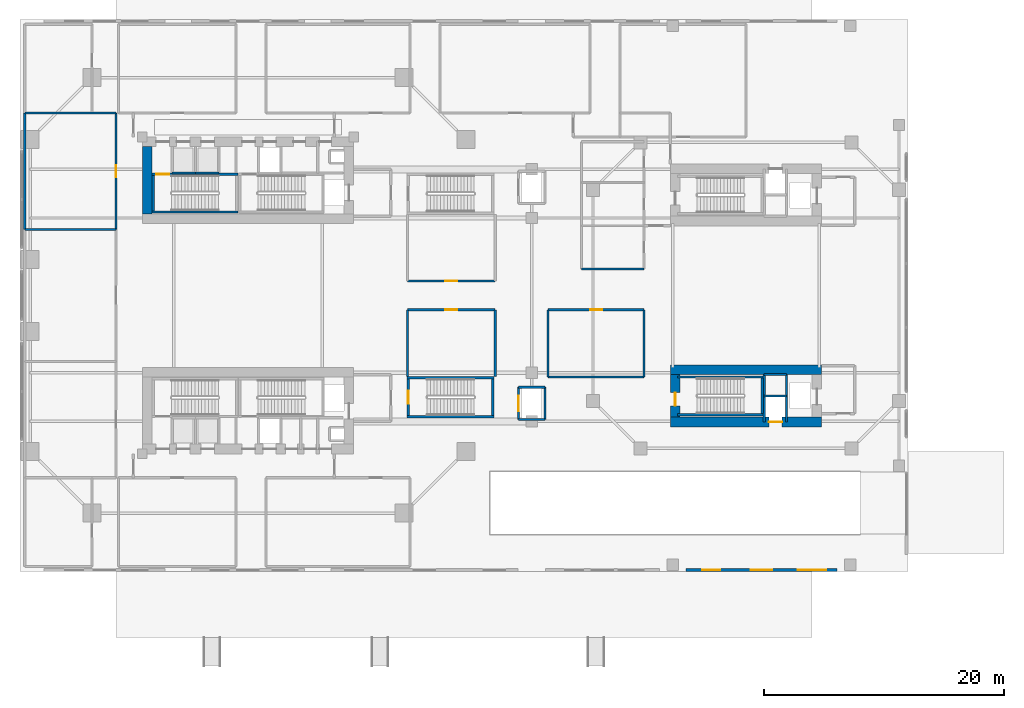
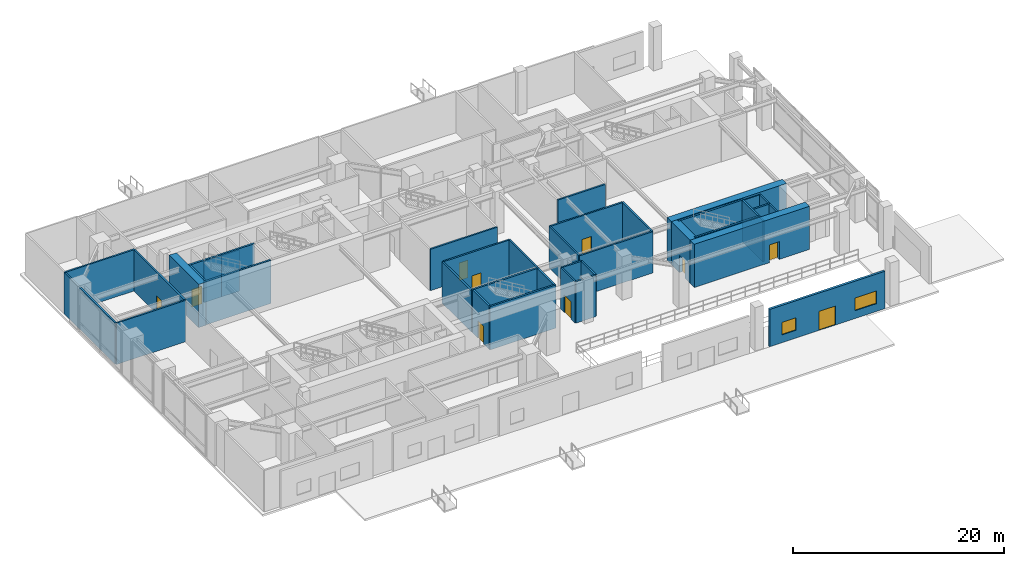
# One storey, part 9 of 18: 38 walls, 10 doors, 2 windows, 12 openings.
"""IFC4 building model written with IfcOpenShell, lengths in metres."""

import ifcopenshell
import ifcopenshell.guid

model = None  # the IFC model being written
_history = None  # IfcOwnerHistory: only IFC2X3 demands one
_inside = {}  # id of a spatial element -> (the spatial element, [elements in it])
_under = {}  # id of a project, library or spatial element -> (it, [spatial elements below it])
_declared = {}  # id of a project -> (the project, [libraries it declares])
_typed = {}  # id of a type object -> (the type object, [elements of that type])
_made_of = {}  # id of a material, layer set ... -> (it, [elements and type objects made of it])


def new_model(schema):
    """Start an empty IFC model of exactly this schema.

    Asked for "IFC4X3", IfcOpenShell would pick the latest addendum, in which some entities
    have other attributes; the version numbers below select the first issue.
    IFC2X3 requires an IfcOwnerHistory on every rooted entity: one is made here for all.
    """
    global model, _history
    if schema == "IFC4X3":
        model = ifcopenshell.file(schema_version=(4, 3, 0, 0))
    else:
        model = ifcopenshell.file(schema=schema)
    _inside.clear()
    _under.clear()
    _declared.clear()
    _typed.clear()
    _made_of.clear()
    _history = None
    if model.schema == "IFC2X3":
        org = make("IfcOrganization", Name="unknown")
        user = make(
            "IfcPersonAndOrganization",
            ThePerson=make("IfcPerson", FamilyName="unknown"),
            TheOrganization=org,
        )
        app = make(
            "IfcApplication",
            ApplicationDeveloper=org,
            Version="unknown",
            ApplicationFullName="unknown",
            ApplicationIdentifier="unknown",
        )
        _history = make(
            "IfcOwnerHistory",
            OwningUser=user,
            OwningApplication=app,
            ChangeAction="ADDED",
            CreationDate=0,
        )
    return model


def make(cls, **values):
    """One entity of the class cls with the attributes given. An attribute that is None is left unset."""
    return model.create_entity(
        cls, **{name: value for name, value in values.items() if value is not None}
    )


def rooted(cls, **values):
    """An entity with a GlobalId (a new one), such as an element, a storey or a relation."""
    return make(cls, GlobalId=ifcopenshell.guid.new(), OwnerHistory=_history, **values)


def si_unit(unit_type, name, prefix=None):
    """IfcSIUnit, for example si_unit("LENGTHUNIT", "METRE", prefix="MILLI")."""
    return make("IfcSIUnit", UnitType=unit_type, Prefix=prefix, Name=name)


def assignment(units):
    """IfcUnitAssignment: the units of a project."""
    return None if units is None else make("IfcUnitAssignment", Units=units)


def point(xyz):
    """IfcCartesianPoint."""
    return None if xyz is None else make("IfcCartesianPoint", Coordinates=xyz)


def direction(xyz):
    """IfcDirection."""
    return None if xyz is None else make("IfcDirection", DirectionRatios=xyz)


def frame(location, z_axis=None, x_axis=None):
    """IfcAxis2Placement3D, a coordinate frame: its origin and axes. An axis left out is left unset."""
    return make(
        "IfcAxis2Placement3D",
        Location=point(location),
        Axis=direction(z_axis),
        RefDirection=direction(x_axis),
    )


def frame_2d(location, x_axis=None):
    """IfcAxis2Placement2D, a coordinate frame in the plane: its origin and x axis."""
    return make(
        "IfcAxis2Placement2D", Location=point(location), RefDirection=direction(x_axis)
    )


def origin():
    """The frame at (0, 0, 0) with its axes left unset."""
    return frame((0.0, 0.0, 0.0))


def place(relative_to, where):
    """IfcLocalPlacement: puts the frame where relative to a parent placement (None: the world)."""
    return make(
        "IfcLocalPlacement", PlacementRelTo=relative_to, RelativePlacement=where
    )


def context(
    kind, dimensions, precision=None, world=None, true_north=None, identifier=None
):
    """IfcGeometricRepresentationContext, for example the 3D "Model" context."""
    return make(
        "IfcGeometricRepresentationContext",
        ContextIdentifier=identifier,
        ContextType=kind,
        CoordinateSpaceDimension=dimensions,
        Precision=precision,
        WorldCoordinateSystem=world,
        TrueNorth=true_north,
    )


def subcontext(parent, identifier, kind, view, scale=None):
    """IfcGeometricRepresentationSubContext, for example "Body" below "Model"."""
    return make(
        "IfcGeometricRepresentationSubContext",
        ContextIdentifier=identifier,
        ContextType=kind,
        ParentContext=parent,
        TargetScale=scale,
        TargetView=view,
    )


def project(units=None, contexts=None):
    """IfcProject with its units and contexts."""
    return rooted(
        "IfcProject",
        Name="project",
        RepresentationContexts=contexts,
        UnitsInContext=assignment(units),
    )


def spatial(cls, under=None, at=None, **own):
    """A site, building, storey or space (cls), placed at a placement, below another one or the project."""
    s = rooted(cls, ObjectPlacement=at, **own)
    if under is not None:
        _under.setdefault(under.id(), (under, []))[1].append(s)
    return s


def profile(cls, at=None, kind="AREA", **sizes):
    """A parametric profile (cls). Its sizes go by their IFC names, for example OverallWidth=200.0."""
    return make(cls, ProfileType=kind, Position=at, **sizes)


def rectangle(**sizes):
    """IfcRectangleProfileDef."""
    return profile("IfcRectangleProfileDef", **sizes)


def extrude(swept, where, along, depth):
    """IfcExtrudedAreaSolid: the profile swept, set in the frame where, extruded along a direction by depth."""
    return make(
        "IfcExtrudedAreaSolid",
        SweptArea=swept,
        Position=where,
        ExtrudedDirection=direction(along),
        Depth=depth,
    )


def shape(context_of_items, identifier, shape_type, items):
    """IfcShapeRepresentation: the items that make up one representation, for example the "Body"."""
    return make(
        "IfcShapeRepresentation",
        ContextOfItems=context_of_items,
        RepresentationIdentifier=identifier,
        RepresentationType=shape_type,
        Items=items,
    )


def source(mapping_origin, context_of_items, identifier, shape_type, items):
    """IfcRepresentationMap: a shape defined once, which mapped items show again and again."""
    return make(
        "IfcRepresentationMap",
        MappingOrigin=mapping_origin,
        MappedRepresentation=shape(context_of_items, identifier, shape_type, items),
    )


def transform(
    local_origin,
    x_axis=None,
    y_axis=None,
    z_axis=None,
    scale=None,
    scale2=None,
    scale3=None,
    uniform=True,
):
    """IfcCartesianTransformationOperator3D, or its non-uniform kind. x_axis, y_axis, z_axis: its Axis1, 2, 3."""
    if uniform:
        return make(
            "IfcCartesianTransformationOperator3D",
            Axis1=direction(x_axis),
            Axis2=direction(y_axis),
            LocalOrigin=point(local_origin),
            Scale=scale,
            Axis3=direction(z_axis),
        )
    return make(
        "IfcCartesianTransformationOperator3DnonUniform",
        Axis1=direction(x_axis),
        Axis2=direction(y_axis),
        LocalOrigin=point(local_origin),
        Scale=scale,
        Axis3=direction(z_axis),
        Scale2=scale2,
        Scale3=scale3,
    )


def mapped(mapping_source, mapping_target):
    """IfcMappedItem: shows the shape of a source again, moved by a transform."""
    return make(
        "IfcMappedItem", MappingSource=mapping_source, MappingTarget=mapping_target
    )


def material(Name=None, Category=None):
    """IfcMaterial."""
    return make("IfcMaterial", Name=Name, Category=Category)


def layer(
    of_material, thickness, ventilated=None, Name=None, Category=None, Priority=None
):
    """IfcMaterialLayer: one layer of a wall or slab, of a material (None: an air gap)."""
    return make(
        "IfcMaterialLayer",
        Material=of_material,
        LayerThickness=thickness,
        IsVentilated=ventilated,
        Name=Name,
        Category=Category,
        Priority=Priority,
    )


def layer_set(layers, Name=None):
    """IfcMaterialLayerSet."""
    return make("IfcMaterialLayerSet", MaterialLayers=layers, LayerSetName=Name)


def made_of(thing, what):
    """Note that an element or type object is made of a material, layer set ...; save() writes the relation."""
    if what is not None:
        _made_of.setdefault(what.id(), (what, []))[1].append(thing)
    return thing


def type_object(cls, material=None, **own):
    """A type object (cls), such as IfcWallType, which elements share."""
    return made_of(rooted(cls, **own), material)


def element(
    cls,
    number,
    at=None,
    inside=None,
    cuts=None,
    type_object=None,
    material=None,
    context=None,
    identifier="Body",
    shape_type=None,
    held_by="IfcProductDefinitionShape",
    body=None,
    shapes=None,
    **own,
):
    """One element of the class cls, such as IfcWall. Its Tag is "e" and its number.

    at: its placement. inside: the storey or other place that contains it. cuts: it is an
    opening in that element (IfcRelVoidsElement). A single representation is given by context,
    identifier, shape_type and body (its items); several are given by shapes. held_by: the class
    of the entity that holds the representations. save() writes the other relations.
    """
    e = rooted(cls, Tag="e%d" % number, ObjectPlacement=at, **own)
    if body is not None:
        shapes = [shape(context, identifier, shape_type, body)]
    if shapes is not None:
        e.Representation = make(held_by, Representations=shapes)
    if inside is not None:
        _inside.setdefault(inside.id(), (inside, []))[1].append(e)
    if cuts is not None:
        rooted(
            "IfcRelVoidsElement", RelatingBuildingElement=cuts, RelatedOpeningElement=e
        )
    if type_object is not None:
        _typed.setdefault(type_object.id(), (type_object, []))[1].append(e)
    return made_of(e, material)


def fill(opening, filler):
    """IfcRelFillsElement: the door or window that sits in an opening."""
    return rooted(
        "IfcRelFillsElement",
        RelatingOpeningElement=opening,
        RelatedBuildingElement=filler,
    )


def aggregate(whole, parts):
    """IfcRelAggregates: a whole, such as a stair, and the parts it consists of."""
    return rooted("IfcRelAggregates", RelatingObject=whole, RelatedObjects=parts)


def save(model, path):
    """Write the relations noted so far, then the file.

    IfcRelAggregates (storeys below a building ...), IfcRelContainedInSpatialStructure (elements
    in a storey), IfcRelDefinesByType, IfcRelAssociatesMaterial and IfcRelDeclares: one each for
    every whole, place, type object, material and project.
    """
    for whole, parts in _under.values():
        aggregate(whole, parts)
    for where, things in _inside.values():
        rooted(
            "IfcRelContainedInSpatialStructure",
            RelatedElements=things,
            RelatingStructure=where,
        )
    for kind, things in _typed.values():
        rooted("IfcRelDefinesByType", RelatedObjects=things, RelatingType=kind)
    for what, things in _made_of.values():
        rooted("IfcRelAssociatesMaterial", RelatedObjects=things, RelatingMaterial=what)
    for by, libraries in _declared.values():
        rooted("IfcRelDeclares", RelatingContext=by, RelatedDefinitions=libraries)
    model.write(path)


model = new_model("IFC4")

# Units and contexts
model_context = context("Model", 3, precision=1e-05, world=origin(), true_north=direction((0.0, 1.0)))
body_context = subcontext(model_context, "Body", "Model", "MODEL_VIEW")
ifc_project = project(units=[si_unit("LENGTHUNIT", "METRE"), si_unit("AREAUNIT", "SQUARE_METRE"), si_unit("VOLUMEUNIT", "CUBIC_METRE"), si_unit("PLANEANGLEUNIT", "RADIAN"), si_unit("MASSUNIT", "GRAM", prefix="KILO"), si_unit("THERMODYNAMICTEMPERATUREUNIT", "KELVIN"), si_unit("POWERUNIT", "WATT")], contexts=[model_context])

# Site, building, storey
site_placement = place(None, origin())
site = spatial("IfcSite", under=ifc_project, at=site_placement, CompositionType="ELEMENT")
building_placement = place(site_placement, origin())
building = spatial("IfcBuilding", under=site, at=building_placement, Name="Qiaomeng Ring Towers", CompositionType="ELEMENT")
storey_placement = place(building_placement, origin())
storey = spatial("IfcBuildingStorey", under=building, at=storey_placement, Name="L00", CompositionType="ELEMENT", Elevation=0.0)

# Wall, openings, door, windows
ifc_material_1 = material(Name="Precast concrete C40", Category="concrete")
ifc_layer_1 = layer(ifc_material_1, 0.25, Name="Precast concrete C40")
ifc_layer_set_1 = layer_set([ifc_layer_1], Name="Precast concrete C40")
wall_type_1 = type_object("IfcWallType", Name="ARC-WL-EW1", PredefinedType="STANDARD", material=ifc_layer_set_1)
wall_1_placement = place(storey_placement, frame((55.5, 0.125, 0.0), z_axis=(0.0, 0.0, 1.0), x_axis=(1.0, 0.0, 0.0)))
wall_1 = element("IfcWall", 1, at=wall_1_placement, inside=storey, type_object=wall_type_1, Name="L00 South Facade Wall S5", PredefinedType="STANDARD", context=body_context, shape_type="SweptSolid", body=[
    extrude(rectangle(XDim=12.60009765625, YDim=0.25, at=frame_2d((6.300048828125, 0.0))), origin(), (0.0, 0.0, 1.0), 4.320068359375),
])
opening_1_placement = place(wall_1_placement, frame((5.39990234375, 0.0, 0.0)))
opening_1 = element("IfcOpeningElement", 2, at=opening_1_placement, cuts=wall_1, Name="Opening ED1", PredefinedType="OPENING", context=body_context, shape_type="SweptSolid", body=[
    extrude(rectangle(XDim=1.800048828125, YDim=2.199951171875, at=frame_2d((0.89990234375, 1.10009765625))), frame((0.0, 0.135009765625, 0.0), z_axis=(0.0, -1.0, 0.0), x_axis=(1.0, 0.0, 0.0)), (0.0, 0.0, 1.0), 0.27001953125),
])
opening_2_placement = place(wall_1_placement, frame((1.35009765625, 0.0, 0.89990234375)))
opening_2 = element("IfcOpeningElement", 3, at=opening_2_placement, cuts=wall_1, Name="Opening WN2", PredefinedType="OPENING", context=body_context, shape_type="SweptSolid", body=[
    extrude(rectangle(XDim=1.5, YDim=1.449951171875, at=frame_2d((0.75, 0.72509765625))), frame((0.0, 0.135009765625, 0.0), z_axis=(0.0, -1.0, 0.0), x_axis=(1.0, 0.0, 0.0)), (0.0, 0.0, 1.0), 0.27001953125),
])
opening_3_placement = place(wall_1_placement, frame((9.300048828125, 0.0, 0.89990234375)))
opening_3 = element("IfcOpeningElement", 4, at=opening_3_placement, cuts=wall_1, Name="Opening WN6", PredefinedType="OPENING", context=body_context, shape_type="SweptSolid", body=[
    extrude(rectangle(XDim=2.39990234375, YDim=1.47998046875, at=frame_2d((1.199951171875, 0.739990234375))), frame((0.0, 0.135009765625, 0.0), z_axis=(0.0, -1.0, 0.0), x_axis=(1.0, 0.0, 0.0)), (0.0, 0.0, 1.0), 0.27001953125),
])
ifc_material_2 = material(Name="Fluorocarbon dark-grey aluminium", Category="aluminium")
door_type_1 = type_object("IfcDoorType", Name="ARC-DR-ED1", OperationType="NOTDEFINED", PredefinedType="DOOR", material=ifc_material_2)
shared_shape_1 = source(origin(), body_context, "Body", "SweptSolid", [
    extrude(rectangle(XDim=1.800048828125, YDim=2.199951171875, at=frame_2d((0.89990234375, 1.10009765625))), frame((0.0, 0.02490234375, 0.0), z_axis=(0.0, -1.0, 0.0), x_axis=(1.0, 0.0, 0.0)), (0.0, 0.0, 1.0), 0.050048828125),
])
door_1_placement = place(opening_1_placement, frame((1.800048828125, 0.0, 0.0), z_axis=(0.0, 0.0, 1.0), x_axis=(-1.0, 0.0, 0.0)))
door_1 = element("IfcDoor", 5, at=door_1_placement, inside=storey, type_object=door_type_1, Name="Ground Final Exit Double Door ED05", OperationType="DOUBLE_DOOR_SINGLE_SWING", OverallHeight=2.199951171875, OverallWidth=1.800048828125, PredefinedType="DOOR", context=body_context, shape_type="MappedRepresentation", body=[
    mapped(shared_shape_1, transform((0.0, 0.0, 0.0), x_axis=(1.0, 0.0, 0.0), y_axis=(0.0, 1.0, 0.0), z_axis=(0.0, 0.0, 1.0), scale=1.0)),
])
fill(opening_1, door_1)
ifc_material_3 = material(Name="Low-E dark-grey laminated double glazing", Category="glass")
window_type_1 = type_object("IfcWindowType", Name="ARC-WN-2", PartitioningType="DOUBLE_PANEL_VERTICAL", PredefinedType="WINDOW", material=ifc_material_3)
shared_shape_2 = source(origin(), body_context, "Body", "SweptSolid", [
    extrude(rectangle(XDim=1.5, YDim=1.449951171875, at=frame_2d((0.75, 0.72509765625))), frame((0.0, 0.030029296875, 0.0), z_axis=(0.0, -1.0, 0.0), x_axis=(1.0, 0.0, 0.0)), (0.0, 0.0, 1.0), 0.06005859375),
])
window_1_placement = place(opening_2_placement, origin())
window_1 = element("IfcWindow", 6, at=window_1_placement, inside=storey, type_object=window_type_1, Name="L00 Exterior Window WN2", OverallHeight=1.449951171875, OverallWidth=1.5, PartitioningType="DOUBLE_PANEL_VERTICAL", PredefinedType="WINDOW", context=body_context, shape_type="MappedRepresentation", body=[
    mapped(shared_shape_2, transform((0.0, 0.0, 0.0), x_axis=(1.0, 0.0, 0.0), y_axis=(0.0, 1.0, 0.0), z_axis=(0.0, 0.0, 1.0), scale=1.0)),
])
fill(opening_2, window_1)
window_type_2 = type_object("IfcWindowType", Name="ARC-WN-6", PartitioningType="TRIPLE_PANEL_VERTICAL", PredefinedType="WINDOW", material=ifc_material_3)
shared_shape_3 = source(origin(), body_context, "Body", "SweptSolid", [
    extrude(rectangle(XDim=2.39990234375, YDim=1.47998046875, at=frame_2d((1.199951171875, 0.739990234375))), frame((0.0, 0.030029296875, 0.0), z_axis=(0.0, -1.0, 0.0), x_axis=(1.0, 0.0, 0.0)), (0.0, 0.0, 1.0), 0.06005859375),
])
window_2_placement = place(opening_3_placement, origin())
window_2 = element("IfcWindow", 7, at=window_2_placement, inside=storey, type_object=window_type_2, Name="L00 Exterior Window WN6", OverallHeight=1.47998046875, OverallWidth=2.39990234375, PartitioningType="TRIPLE_PANEL_VERTICAL", PredefinedType="WINDOW", context=body_context, shape_type="MappedRepresentation", body=[
    mapped(shared_shape_3, transform((0.0, 0.0, 0.0), x_axis=(1.0, 0.0, 0.0), y_axis=(0.0, 1.0, 0.0), z_axis=(0.0, 0.0, 1.0), scale=1.0)),
])
fill(opening_3, window_2)

# Walls
ifc_material_4 = material(Name="Autoclaved aerated concrete block", Category="concrete")
ifc_layer_2 = layer(ifc_material_4, 0.179931640625, Name="Autoclaved aerated concrete block")
ifc_layer_set_2 = layer_set([ifc_layer_2], Name="Autoclaved aerated concrete block")
wall_type_2 = type_object("IfcWallType", Name="ARC-WL-PW2", PredefinedType="PARTITIONING", material=ifc_layer_set_2)
wall_2_placement = place(storey_placement, frame((46.800048828125, 25.199951171875, 0.0), z_axis=(0.0, 0.0, 1.0), x_axis=(1.0, 0.0, 0.0)))
element("IfcWall", 8, at=wall_2_placement, inside=storey, type_object=wall_type_2, Name="L00 Interior Wall PW2", PredefinedType="PARTITIONING", context=body_context, shape_type="SweptSolid", body=[
    extrude(rectangle(XDim=5.199951171875, YDim=0.179931640625, at=frame_2d((2.60009765625, 0.0))), origin(), (0.0, 0.0, 1.0), 4.780029296875),
])
for number, where, z_axis, x_axis, name in (
    (9, (0.39990234375, 28.5, 0.0), (0.0, 0.0, 1.0), (1.0, 0.0, 0.0), "L00 Interior Wall PW2"),
    (10, (0.39990234375, 38.199951171875, 0.0), (0.0, 0.0, 1.0), (1.0, 0.0, 0.0), "L00 Interior Wall PW2"),
):
    element("IfcWall", number, at=place(storey_placement, frame(where, z_axis=z_axis, x_axis=x_axis)), inside=storey, type_object=wall_type_2, Name=name, PredefinedType="PARTITIONING", context=body_context, shape_type="SweptSolid", body=[
        extrude(rectangle(XDim=7.60009765625, YDim=0.179931640625, at=frame_2d((3.800048828125, 0.0))), origin(), (0.0, 0.0, 1.0), 4.780029296875),
    ])
wall_3_placement = place(storey_placement, frame((0.39990234375, 28.5, 0.0), z_axis=(0.0, 0.0, 1.0), x_axis=(0.0, 1.0, 0.0)))
element("IfcWall", 11, at=wall_3_placement, inside=storey, type_object=wall_type_2, Name="L00 Interior Wall PW2", PredefinedType="PARTITIONING", context=body_context, shape_type="SweptSolid", body=[
    extrude(rectangle(XDim=9.699951171875, YDim=0.179931640625, at=frame_2d((4.85009765625, 0.0))), origin(), (0.0, 0.0, 1.0), 4.780029296875),
])

# Wall, opening, door
wall_4_placement = place(storey_placement, frame((8.0, 28.5, 0.0), z_axis=(0.0, 0.0, 1.0), x_axis=(0.0, 1.0, 0.0)))
wall_4 = element("IfcWall", 12, at=wall_4_placement, inside=storey, type_object=wall_type_2, Name="L00 Interior Wall PW2", PredefinedType="PARTITIONING", context=body_context, shape_type="SweptSolid", body=[
    extrude(rectangle(XDim=9.699951171875, YDim=0.179931640625, at=frame_2d((4.85009765625, 0.0))), origin(), (0.0, 0.0, 1.0), 4.780029296875),
])
opening_4_placement = place(wall_4_placement, frame((4.35009765625, 0.0, 0.0)))
opening_4 = element("IfcOpeningElement", 13, at=opening_4_placement, cuts=wall_4, Name="Opening FD4", PredefinedType="OPENING", context=body_context, shape_type="SweptSolid", body=[
    extrude(rectangle(XDim=1.0, YDim=2.050048828125, at=frame_2d((0.5, 1.02490234375))), frame((0.0, 0.099853515625, 0.0), z_axis=(0.0, -1.0, 0.0), x_axis=(1.0, 0.0, 0.0)), (0.0, 0.0, 1.0), 0.199951171875),
])
ifc_material_5 = material(Name="Engineered fire-rated oak timber", Category="wood")
door_type_2 = type_object("IfcDoorType", Name="ARC-DR-FD4", OperationType="NOTDEFINED", PredefinedType="DOOR", material=ifc_material_5)
shared_shape_4 = source(origin(), body_context, "Body", "SweptSolid", [
    extrude(rectangle(XDim=1.0, YDim=2.050048828125, at=frame_2d((0.5, 1.02490234375))), frame((0.0, 0.02490234375, 0.0), z_axis=(0.0, -1.0, 0.0), x_axis=(1.0, 0.0, 0.0)), (0.0, 0.0, 1.0), 0.050048828125),
])
door_2_placement = place(opening_4_placement, origin())
door_2 = element("IfcDoor", 14, at=door_2_placement, inside=storey, type_object=door_type_2, Name="L00 Community Health Dispensary Door", OperationType="SINGLE_SWING_LEFT", OverallHeight=2.050048828125, OverallWidth=1.0, PredefinedType="DOOR", context=body_context, shape_type="MappedRepresentation", body=[
    mapped(shared_shape_4, transform((0.0, 0.0, 0.0), x_axis=(1.0, 0.0, 0.0), y_axis=(0.0, 1.0, 0.0), z_axis=(0.0, 0.0, 1.0), scale=1.0)),
])
fill(opening_4, door_2)

wall_5_placement = place(storey_placement, frame((32.300048828125, 24.199951171875, 0.0), z_axis=(0.0, 0.0, 1.0), x_axis=(1.0, 0.0, 0.0)))
wall_5 = element("IfcWall", 15, at=wall_5_placement, inside=storey, type_object=wall_type_2, Name="L00 Interior Wall PW2", PredefinedType="PARTITIONING", context=body_context, shape_type="SweptSolid", body=[
    extrude(rectangle(XDim=7.300048828125, YDim=0.179931640625, at=frame_2d((3.64990234375, 0.0))), origin(), (0.0, 0.0, 1.0), 4.780029296875),
])
opening_5_placement = place(wall_5_placement, frame((3.14990234375, 0.0, 0.0)))
opening_5 = element("IfcOpeningElement", 16, at=opening_5_placement, cuts=wall_5, Name="Opening FD4", PredefinedType="OPENING", context=body_context, shape_type="SweptSolid", body=[
    extrude(rectangle(XDim=1.0, YDim=2.050048828125, at=frame_2d((0.5, 1.02490234375))), frame((0.0, 0.099853515625, 0.0), z_axis=(0.0, -1.0, 0.0), x_axis=(1.0, 0.0, 0.0)), (0.0, 0.0, 1.0), 0.199951171875),
])
door_3_placement = place(opening_5_placement, origin())
door_3 = element("IfcDoor", 17, at=door_3_placement, inside=storey, type_object=door_type_2, Name="L00 Diagnostic Imaging Suite Door", OperationType="SINGLE_SWING_RIGHT", OverallHeight=2.050048828125, OverallWidth=1.0, PredefinedType="DOOR", context=body_context, shape_type="MappedRepresentation", body=[
    mapped(shared_shape_4, transform((0.0, 0.0, 0.0), x_axis=(1.0, 0.0, 0.0), y_axis=(0.0, 1.0, 0.0), z_axis=(0.0, 0.0, 1.0), scale=1.0)),
])
fill(opening_5, door_3)

wall_6_placement = place(storey_placement, frame((32.300048828125, 21.800048828125, 0.0), z_axis=(0.0, 0.0, 1.0), x_axis=(1.0, 0.0, 0.0)))
wall_6 = element("IfcWall", 18, at=wall_6_placement, inside=storey, type_object=wall_type_2, Name="L00 Interior Wall PW2", PredefinedType="PARTITIONING", context=body_context, shape_type="SweptSolid", body=[
    extrude(rectangle(XDim=7.300048828125, YDim=0.179931640625, at=frame_2d((3.64990234375, 0.0))), origin(), (0.0, 0.0, 1.0), 4.780029296875),
])
opening_6_placement = place(wall_6_placement, frame((3.14990234375, 0.0, 0.0)))
opening_6 = element("IfcOpeningElement", 19, at=opening_6_placement, cuts=wall_6, Name="Opening FD4", PredefinedType="OPENING", context=body_context, shape_type="SweptSolid", body=[
    extrude(rectangle(XDim=1.0, YDim=2.050048828125, at=frame_2d((0.5, 1.02490234375))), frame((0.0, 0.099853515625, 0.0), z_axis=(0.0, -1.0, 0.0), x_axis=(1.0, 0.0, 0.0)), (0.0, 0.0, 1.0), 0.199951171875),
])
door_4_placement = place(opening_6_placement, origin())
door_4 = element("IfcDoor", 20, at=door_4_placement, inside=storey, type_object=door_type_2, Name="L00 Clinical Laboratory Suite Door", OperationType="SINGLE_SWING_LEFT", OverallHeight=2.050048828125, OverallWidth=1.0, PredefinedType="DOOR", context=body_context, shape_type="MappedRepresentation", body=[
    mapped(shared_shape_4, transform((0.0, 0.0, 0.0), x_axis=(1.0, 0.0, 0.0), y_axis=(0.0, 1.0, 0.0), z_axis=(0.0, 0.0, 1.0), scale=1.0)),
])
fill(opening_6, door_4)

# Walls
for number, where, z_axis, x_axis, name in (
    (21, (32.300048828125, 16.25, 0.0), (0.0, 0.0, 1.0), (0.0, 1.0, 0.0), "L00 Interior Wall PW2"),
    (22, (39.60009765625, 16.25, 0.0), (0.0, 0.0, 1.0), (0.0, 1.0, 0.0), "L00 Interior Wall PW2"),
):
    element("IfcWall", number, at=place(storey_placement, frame(where, z_axis=z_axis, x_axis=x_axis)), inside=storey, type_object=wall_type_2, Name=name, PredefinedType="PARTITIONING", context=body_context, shape_type="SweptSolid", body=[
        extrude(rectangle(XDim=5.550048828125, YDim=0.179931640625, at=frame_2d((2.77490234375, 0.0))), origin(), (0.0, 0.0, 1.0), 4.780029296875),
    ])
wall_7_placement = place(storey_placement, frame((44.0, 16.199951171875, 0.0), z_axis=(0.0, 0.0, 1.0), x_axis=(1.0, 0.0, 0.0)))
element("IfcWall", 23, at=wall_7_placement, inside=storey, type_object=wall_type_2, Name="L00 Interior Wall PW2", PredefinedType="PARTITIONING", context=body_context, shape_type="SweptSolid", body=[
    extrude(rectangle(XDim=8.0, YDim=0.179931640625, at=frame_2d((4.0, 0.0))), origin(), (0.0, 0.0, 1.0), 4.780029296875),
])

# Wall, opening, door
wall_8_placement = place(storey_placement, frame((44.0, 21.800048828125, 0.0), z_axis=(0.0, 0.0, 1.0), x_axis=(1.0, 0.0, 0.0)))
wall_8 = element("IfcWall", 24, at=wall_8_placement, inside=storey, type_object=wall_type_2, Name="L00 Interior Wall PW2", PredefinedType="PARTITIONING", context=body_context, shape_type="SweptSolid", body=[
    extrude(rectangle(XDim=8.0, YDim=0.179931640625, at=frame_2d((4.0, 0.0))), origin(), (0.0, 0.0, 1.0), 4.780029296875),
])
opening_7_placement = place(wall_8_placement, frame((3.5, 0.0, 0.0)))
opening_7 = element("IfcOpeningElement", 25, at=opening_7_placement, cuts=wall_8, Name="Opening FD4", PredefinedType="OPENING", context=body_context, shape_type="SweptSolid", body=[
    extrude(rectangle(XDim=1.0, YDim=2.050048828125, at=frame_2d((0.5, 1.02490234375))), frame((0.0, 0.099853515625, 0.0), z_axis=(0.0, -1.0, 0.0), x_axis=(1.0, 0.0, 0.0)), (0.0, 0.0, 1.0), 0.199951171875),
])
door_5_placement = place(opening_7_placement, origin())
door_5 = element("IfcDoor", 26, at=door_5_placement, inside=storey, type_object=door_type_2, Name="L00 Blood Collection Clinic Door", OperationType="SINGLE_SWING_RIGHT", OverallHeight=2.050048828125, OverallWidth=1.0, PredefinedType="DOOR", context=body_context, shape_type="MappedRepresentation", body=[
    mapped(shared_shape_4, transform((0.0, 0.0, 0.0), x_axis=(1.0, 0.0, 0.0), y_axis=(0.0, 1.0, 0.0), z_axis=(0.0, 0.0, 1.0), scale=1.0)),
])
fill(opening_7, door_5)

# Walls
for number, where, z_axis, x_axis, name in (
    (27, (44.0, 16.199951171875, 0.0), (0.0, 0.0, 1.0), (0.0, 1.0, 0.0), "L00 Interior Wall PW2"),
    (28, (52.0, 16.199951171875, 0.0), (0.0, 0.0, 1.0), (0.0, 1.0, 0.0), "L00 Interior Wall PW2"),
):
    element("IfcWall", number, at=place(storey_placement, frame(where, z_axis=z_axis, x_axis=x_axis)), inside=storey, type_object=wall_type_2, Name=name, PredefinedType="PARTITIONING", context=body_context, shape_type="SweptSolid", body=[
        extrude(rectangle(XDim=5.60009765625, YDim=0.179931640625, at=frame_2d((2.800048828125, 0.0))), origin(), (0.0, 0.0, 1.0), 4.780029296875),
    ])
ifc_material_6 = material(Name="Concrete C40", Category="concrete")
ifc_layer_3 = layer(ifc_material_6, 0.199951171875, Name="Concrete C40")
ifc_layer_set_3 = layer_set([ifc_layer_3], Name="Concrete C40")
wall_type_3 = type_object("IfcWallType", Name="STR-WL-STSHAFT", PredefinedType="SHEAR", material=ifc_layer_set_3)
wall_9_placement = place(storey_placement, frame((12.679931640625, 33.199951171875, 0.0), z_axis=(0.0, 0.0, 1.0), x_axis=(1.0, 0.0, 0.0)))
element("IfcWall", 29, at=wall_9_placement, inside=storey, type_object=wall_type_3, Name="L00 Lift LP5 Shaft Back Wall", PredefinedType="SHEAR", context=body_context, shape_type="SweptSolid", body=[
    extrude(rectangle(XDim=1.940185546875, YDim=0.179931640625, at=frame_2d((0.97021484375, 0.0))), origin(), (0.0, 0.0, 1.0), 4.780029296875),
])
wall_10_placement = place(storey_placement, frame((14.6201171875, 33.199951171875, 0.0), z_axis=(0.0, 0.0, 1.0), x_axis=(1.0, 0.0, 0.0)))
element("IfcWall", 30, at=wall_10_placement, inside=storey, type_object=wall_type_3, Name="L00 Lift LP3 Shaft Back Wall", PredefinedType="SHEAR", context=body_context, shape_type="SweptSolid", body=[
    extrude(rectangle(XDim=1.9599609375, YDim=0.179931640625, at=frame_2d((0.97998046875, 0.0))), origin(), (0.0, 0.0, 1.0), 4.780029296875),
])
for number, where, z_axis, x_axis, name in (
    (31, (62.02001953125, 12.449951171875, 0.0), (0.0, 0.0, 1.0), (0.0, 1.0, 0.0), "L00 Companion Lift Shaft West Wall S"),
    (32, (63.8798828125, 12.449951171875, 0.0), (0.0, 0.0, 1.0), (0.0, 1.0, 0.0), "L00 Companion Lift Shaft East Wall S"),
):
    element("IfcWall", number, at=place(storey_placement, frame(where, z_axis=z_axis, x_axis=x_axis)), inside=storey, type_object=wall_type_3, Name=name, PredefinedType="SHEAR", context=body_context, shape_type="SweptSolid", body=[
        extrude(rectangle(XDim=3.949951171875, YDim=0.179931640625, at=frame_2d((1.97509765625, 0.0))), origin(), (0.0, 0.0, 1.0), 4.780029296875),
    ])
for number, where, z_axis, x_axis, name in (
    (33, (62.02001953125, 14.6201171875, 0.0), (0.0, 0.0, 1.0), (1.0, 0.0, 0.0), "L00 Companion Lift Shaft Divider Wall S"),
    (34, (62.02001953125, 16.39990234375, 0.0), (0.0, 0.0, 1.0), (1.0, 0.0, 0.0), "L00 Companion Riser Shaft Back Wall S"),
):
    element("IfcWall", number, at=place(storey_placement, frame(where, z_axis=z_axis, x_axis=x_axis)), inside=storey, type_object=wall_type_3, Name=name, PredefinedType="SHEAR", context=body_context, shape_type="SweptSolid", body=[
        extrude(rectangle(XDim=1.85986328125, YDim=0.179931640625, at=frame_2d((0.929931640625, 0.0))), origin(), (0.0, 0.0, 1.0), 4.780029296875),
    ])

# Wall, opening, door
wall_11_placement = place(storey_placement, frame((41.550048828125, 12.64990234375, 0.0), z_axis=(0.0, 0.0, 1.0), x_axis=(0.0, 1.0, 0.0)))
wall_11 = element("IfcWall", 35, at=wall_11_placement, inside=storey, type_object=wall_type_3, Name="L00 Medical Lift LP10 West Shaft Wall", PredefinedType="SHEAR", context=body_context, shape_type="SweptSolid", body=[
    extrude(rectangle(XDim=2.7001953125, YDim=0.179931640625, at=frame_2d((1.35009765625, 0.0))), origin(), (0.0, 0.0, 1.0), 4.780029296875),
])
opening_8_placement = place(wall_11_placement, frame((0.699951171875, 0.0, 0.0)))
opening_8 = element("IfcOpeningElement", 36, at=opening_8_placement, cuts=wall_11, Name="Opening LD2", PredefinedType="OPENING", context=body_context, shape_type="SweptSolid", body=[
    extrude(rectangle(XDim=1.300048828125, YDim=2.050048828125, at=frame_2d((0.64990234375, 1.02490234375))), frame((0.0, 0.099853515625, 0.0), z_axis=(0.0, -1.0, 0.0), x_axis=(1.0, 0.0, 0.0)), (0.0, 0.0, 1.0), 0.199951171875),
])
ifc_material_7 = material(Name="Stainless steel 316", Category="steel")
door_type_3 = type_object("IfcDoorType", Name="ARC-DR-LD2", OperationType="NOTDEFINED", PredefinedType="DOOR", material=ifc_material_7)
shared_shape_5 = source(origin(), body_context, "Body", "SweptSolid", [
    extrude(rectangle(XDim=1.300048828125, YDim=2.050048828125, at=frame_2d((0.64990234375, 1.02490234375))), frame((0.0, 0.02490234375, 0.0), z_axis=(0.0, -1.0, 0.0), x_axis=(1.0, 0.0, 0.0)), (0.0, 0.0, 1.0), 0.050048828125),
])
door_6_placement = place(opening_8_placement, origin())
door_6 = element("IfcDoor", 37, at=door_6_placement, inside=storey, type_object=door_type_3, Name="L00 Medical Lift LP10 Landing Door", OperationType="SLIDING_TO_LEFT", OverallHeight=2.050048828125, OverallWidth=1.300048828125, PredefinedType="DOOR", context=body_context, shape_type="MappedRepresentation", body=[
    mapped(shared_shape_5, transform((0.0, 0.0, 0.0), x_axis=(1.0, 0.0, 0.0), y_axis=(0.0, 1.0, 0.0), z_axis=(0.0, 0.0, 1.0), scale=1.0)),
])
fill(opening_8, door_6)

# Walls
wall_12_placement = place(storey_placement, frame((43.75, 12.64990234375, 0.0), z_axis=(0.0, 0.0, 1.0), x_axis=(0.0, 1.0, 0.0)))
element("IfcWall", 38, at=wall_12_placement, inside=storey, type_object=wall_type_3, Name="L00 Medical Lift LP10 East Shaft Wall", PredefinedType="SHEAR", context=body_context, shape_type="SweptSolid", body=[
    extrude(rectangle(XDim=2.7001953125, YDim=0.179931640625, at=frame_2d((1.35009765625, 0.0))), origin(), (0.0, 0.0, 1.0), 4.780029296875),
])
for number, where, z_axis, x_axis, name in (
    (39, (41.550048828125, 12.64990234375, 0.0), (0.0, 0.0, 1.0), (1.0, 0.0, 0.0), "L00 Medical Lift LP10 South Shaft Wall"),
    (40, (41.550048828125, 15.35009765625, 0.0), (0.0, 0.0, 1.0), (1.0, 0.0, 0.0), "L00 Medical Lift LP10 North Shaft Wall"),
):
    element("IfcWall", number, at=place(storey_placement, frame(where, z_axis=z_axis, x_axis=x_axis)), inside=storey, type_object=wall_type_3, Name=name, PredefinedType="SHEAR", context=body_context, shape_type="SweptSolid", body=[
        extrude(rectangle(XDim=2.199951171875, YDim=0.179931640625, at=frame_2d((1.10009765625, 0.0))), origin(), (0.0, 0.0, 1.0), 4.780029296875),
    ])
wall_13_placement = place(storey_placement, frame((11.0, 29.949951171875, 0.0), z_axis=(0.0, 0.0, 1.0), x_axis=(1.0, 0.0, 0.0)))
element("IfcWall", 41, at=wall_13_placement, inside=storey, type_object=wall_type_3, Name="L00 Stair ST1 South Shaft Shear Wall", PredefinedType="SHEAR", context=body_context, shape_type="SweptSolid", body=[
    extrude(rectangle(XDim=7.14990234375, YDim=0.199951171875, at=frame_2d((3.574951171875, 0.0))), origin(), (0.0, 0.0, 1.0), 5.0),
])

# Wall, opening, door
wall_14_placement = place(storey_placement, frame((11.0, 33.090087890625, 0.0), z_axis=(0.0, 0.0, 1.0), x_axis=(1.0, 0.0, 0.0)))
wall_14 = element("IfcWall", 42, at=wall_14_placement, inside=storey, type_object=wall_type_3, Name="L00 Stair ST1 North Shaft Shear Wall", PredefinedType="SHEAR", context=body_context, shape_type="SweptSolid", body=[
    extrude(rectangle(XDim=7.14990234375, YDim=0.199951171875, at=frame_2d((3.574951171875, 0.0))), origin(), (0.0, 0.0, 1.0), 5.0),
])
opening_9_placement = place(wall_14_placement, frame((0.35009765625, 0.0, 0.0)))
opening_9 = element("IfcOpeningElement", 43, at=opening_9_placement, cuts=wall_14, Name="Opening FD3", PredefinedType="OPENING", context=body_context, shape_type="SweptSolid", body=[
    extrude(rectangle(XDim=1.10009765625, YDim=2.050048828125, at=frame_2d((0.550048828125, 1.02490234375))), frame((0.0, 0.10986328125, 0.0), z_axis=(0.0, -1.0, 0.0), x_axis=(1.0, 0.0, 0.0)), (0.0, 0.0, 1.0), 0.219970703125),
])
ifc_material_8 = material(Name="Galvanised steel", Category="steel")
door_type_4 = type_object("IfcDoorType", Name="ARC-DR-FD3", OperationType="NOTDEFINED", PredefinedType="DOOR", material=ifc_material_8)
shared_shape_6 = source(origin(), body_context, "Body", "SweptSolid", [
    extrude(rectangle(XDim=1.10009765625, YDim=2.050048828125, at=frame_2d((0.550048828125, 1.02490234375))), frame((0.0, 0.02490234375, 0.0), z_axis=(0.0, -1.0, 0.0), x_axis=(1.0, 0.0, 0.0)), (0.0, 0.0, 1.0), 0.050048828125),
])
door_7_placement = place(opening_9_placement, origin())
door_7 = element("IfcDoor", 44, at=door_7_placement, inside=storey, type_object=door_type_4, Name="L00 Stair ST1 Exit Door", OperationType="SINGLE_SWING_RIGHT", OverallHeight=2.050048828125, OverallWidth=1.10009765625, PredefinedType="DOOR", context=body_context, shape_type="MappedRepresentation", body=[
    mapped(shared_shape_6, transform((0.0, 0.0, 0.0), x_axis=(1.0, 0.0, 0.0), y_axis=(0.0, 1.0, 0.0), z_axis=(0.0, 0.0, 1.0), scale=1.0)),
])
fill(opening_9, door_7)

# Walls
wall_15_placement = place(storey_placement, frame((11.10009765625, 30.050048828125, 0.0), z_axis=(0.0, 0.0, 1.0), x_axis=(0.0, 1.0, 0.0)))
element("IfcWall", 45, at=wall_15_placement, inside=storey, type_object=wall_type_3, Name="L00 Stair ST1 West Shaft Shear Wall", PredefinedType="SHEAR", context=body_context, shape_type="SweptSolid", body=[
    extrude(rectangle(XDim=2.93994140625, YDim=0.199951171875, at=frame_2d((1.469970703125, 0.0))), origin(), (0.0, 0.0, 1.0), 5.0),
])
for number, where, z_axis, x_axis, name in (
    (46, (54.800048828125, 13.06005859375, 0.0), (0.0, 0.0, 1.0), (1.0, 0.0, 0.0), "L00 Stair ST6 South Shaft Shear Wall"),
    (47, (54.800048828125, 16.199951171875, 0.0), (0.0, 0.0, 1.0), (1.0, 0.0, 0.0), "L00 Stair ST6 North Shaft Shear Wall"),
):
    element("IfcWall", number, at=place(storey_placement, frame(where, z_axis=z_axis, x_axis=x_axis)), inside=storey, type_object=wall_type_3, Name=name, PredefinedType="SHEAR", context=body_context, shape_type="SweptSolid", body=[
        extrude(rectangle(XDim=7.14990234375, YDim=0.199951171875, at=frame_2d((3.574951171875, 0.0))), origin(), (0.0, 0.0, 1.0), 5.0),
    ])
wall_16_placement = place(storey_placement, frame((61.85009765625, 13.159912109375, 0.0), z_axis=(0.0, 0.0, 1.0), x_axis=(0.0, 1.0, 0.0)))
element("IfcWall", 48, at=wall_16_placement, inside=storey, type_object=wall_type_3, Name="L00 Stair ST6 East Shaft Shear Wall", PredefinedType="SHEAR", context=body_context, shape_type="SweptSolid", body=[
    extrude(rectangle(XDim=2.940185546875, YDim=0.199951171875, at=frame_2d((1.47021484375, 0.0))), origin(), (0.0, 0.0, 1.0), 5.0),
])
for number, where, z_axis, x_axis, name in (
    (49, (32.25, 12.89990234375, 0.0), (0.0, 0.0, 1.0), (1.0, 0.0, 0.0), "L00 Stair ST8 South Shaft Shear Wall"),
    (50, (32.25, 16.139892578125, 0.0), (0.0, 0.0, 1.0), (1.0, 0.0, 0.0), "L00 Stair ST8 North Shaft Shear Wall"),
):
    element("IfcWall", number, at=place(storey_placement, frame(where, z_axis=z_axis, x_axis=x_axis)), inside=storey, type_object=wall_type_3, Name=name, PredefinedType="SHEAR", context=body_context, shape_type="SweptSolid", body=[
        extrude(rectangle(XDim=7.25, YDim=0.199951171875, at=frame_2d((3.625, 0.0))), origin(), (0.0, 0.0, 1.0), 5.0),
    ])

# Wall, opening, door
wall_17_placement = place(storey_placement, frame((32.35009765625, 13.0, 0.0), z_axis=(0.0, 0.0, 1.0), x_axis=(0.0, 1.0, 0.0)))
wall_17 = element("IfcWall", 51, at=wall_17_placement, inside=storey, type_object=wall_type_3, Name="L00 Stair ST8 West Shaft Shear Wall", PredefinedType="SHEAR", context=body_context, shape_type="SweptSolid", body=[
    extrude(rectangle(XDim=3.0400390625, YDim=0.199951171875, at=frame_2d((1.52001953125, 0.0))), origin(), (0.0, 0.0, 1.0), 5.0),
])
opening_10_placement = place(wall_17_placement, frame((0.949951171875, 0.0, 0.0)))
opening_10 = element("IfcOpeningElement", 52, at=opening_10_placement, cuts=wall_17, Name="Opening FD3", PredefinedType="OPENING", context=body_context, shape_type="SweptSolid", body=[
    extrude(rectangle(XDim=1.10009765625, YDim=2.050048828125, at=frame_2d((0.550048828125, 1.02490234375))), frame((0.0, 0.10986328125, 0.0), z_axis=(0.0, -1.0, 0.0), x_axis=(1.0, 0.0, 0.0)), (0.0, 0.0, 1.0), 0.219970703125),
])
door_8_placement = place(opening_10_placement, origin())
door_8 = element("IfcDoor", 53, at=door_8_placement, inside=storey, type_object=door_type_4, Name="L00 Podium Stair ST8 Exit Door", OperationType="SINGLE_SWING_LEFT", OverallHeight=2.050048828125, OverallWidth=1.10009765625, PredefinedType="DOOR", context=body_context, shape_type="MappedRepresentation", body=[
    mapped(shared_shape_6, transform((0.0, 0.0, 0.0), x_axis=(1.0, 0.0, 0.0), y_axis=(0.0, 1.0, 0.0), z_axis=(0.0, 0.0, 1.0), scale=1.0)),
])
fill(opening_10, door_8)

# Walls
wall_18_placement = place(storey_placement, frame((39.39990234375, 13.0, 0.0), z_axis=(0.0, 0.0, 1.0), x_axis=(0.0, 1.0, 0.0)))
element("IfcWall", 54, at=wall_18_placement, inside=storey, type_object=wall_type_3, Name="L00 Stair ST8 East Shaft Shear Wall", PredefinedType="SHEAR", context=body_context, shape_type="SweptSolid", body=[
    extrude(rectangle(XDim=3.0400390625, YDim=0.199951171875, at=frame_2d((1.52001953125, 0.0))), origin(), (0.0, 0.0, 1.0), 5.0),
])
ifc_material_9 = material(Name="Concrete C60", Category="concrete")
ifc_layer_4 = layer(ifc_material_9, 0.800048828125, Name="Concrete C60")
ifc_layer_set_4 = layer_set([ifc_layer_4], Name="Concrete C60")
wall_type_4 = type_object("IfcWallType", Name="STR-WL-SW1", PredefinedType="SHEAR", material=ifc_layer_set_4)
wall_19_placement = place(storey_placement, frame((10.60009765625, 29.800048828125, 0.0), z_axis=(0.0, 0.0, 1.0), x_axis=(0.0, 1.0, 0.0)))
element("IfcWall", 55, at=wall_19_placement, inside=storey, type_object=wall_type_4, Name="L00 T1NC west core shear wall", PredefinedType="SHEAR", context=body_context, shape_type="SweptSolid", body=[
    extrude(rectangle(XDim=5.599853515625, YDim=0.800048828125, at=frame_2d((2.7998046875, 0.0))), origin(), (0.0, 0.0, 1.0), 5.0),
])

# Wall, opening, door
wall_20_placement = place(storey_placement, frame((54.199951171875, 12.449951171875, 0.0), z_axis=(0.0, 0.0, 1.0), x_axis=(1.0, 0.0, 0.0)))
wall_20 = element("IfcWall", 56, at=wall_20_placement, inside=storey, type_object=wall_type_4, Name="L00 T2SC south core shear wall", PredefinedType="SHEAR", context=body_context, shape_type="SweptSolid", body=[
    extrude(rectangle(XDim=12.60009765625, YDim=0.800048828125, at=frame_2d((6.300048828125, 0.0))), origin(), (0.0, 0.0, 1.0), 5.0),
])
opening_11_placement = place(wall_20_placement, frame((8.199951171875, 0.0, 0.0)))
opening_11 = element("IfcOpeningElement", 57, at=opening_11_placement, cuts=wall_20, Name="Opening LD1", PredefinedType="OPENING", context=body_context, shape_type="SweptSolid", body=[
    extrude(rectangle(XDim=1.10009765625, YDim=2.050048828125, at=frame_2d((0.550048828125, 1.02490234375))), frame((0.0, 0.409912109375, 0.0), z_axis=(0.0, -1.0, 0.0), x_axis=(1.0, 0.0, 0.0)), (0.0, 0.0, 1.0), 0.820068359375),
])
door_type_5 = type_object("IfcDoorType", Name="ARC-DR-LD1", OperationType="NOTDEFINED", PredefinedType="DOOR", material=ifc_material_7)
door_9_placement = place(opening_11_placement, origin())
door_9 = element("IfcDoor", 58, at=door_9_placement, inside=storey, type_object=door_type_5, Name="L00 Companion Lift LP8 Landing Door", OperationType="SLIDING_TO_RIGHT", OverallHeight=2.050048828125, OverallWidth=1.10009765625, PredefinedType="DOOR", context=body_context, shape_type="MappedRepresentation", body=[
    mapped(shared_shape_6, transform((0.0, 0.0, 0.0), x_axis=(1.0, 0.0, 0.0), y_axis=(0.0, 1.0, 0.0), z_axis=(0.0, 0.0, 1.0), scale=1.0)),
])
fill(opening_11, door_9)

# Wall
wall_21_placement = place(storey_placement, frame((54.199951171875, 16.800048828125, 0.0), z_axis=(0.0, 0.0, 1.0), x_axis=(1.0, 0.0, 0.0)))
element("IfcWall", 59, at=wall_21_placement, inside=storey, type_object=wall_type_4, Name="L00 T2SC north core shear wall", PredefinedType="SHEAR", context=body_context, shape_type="SweptSolid", body=[
    extrude(rectangle(XDim=12.60009765625, YDim=0.800048828125, at=frame_2d((6.300048828125, 0.0))), origin(), (0.0, 0.0, 1.0), 5.0),
])

# Wall, opening, door
wall_22_placement = place(storey_placement, frame((54.60009765625, 12.85009765625, 0.0), z_axis=(0.0, 0.0, 1.0), x_axis=(0.0, 1.0, 0.0)))
wall_22 = element("IfcWall", 60, at=wall_22_placement, inside=storey, type_object=wall_type_4, Name="L00 T2SC west core shear wall", PredefinedType="SHEAR", context=body_context, shape_type="SweptSolid", body=[
    extrude(rectangle(XDim=3.5498046875, YDim=0.800048828125, at=frame_2d((1.77490234375, 0.0))), origin(), (0.0, 0.0, 1.0), 5.0),
])
opening_12_placement = place(wall_22_placement, frame((0.949951171875, 0.0, 0.0)))
opening_12 = element("IfcOpeningElement", 61, at=opening_12_placement, cuts=wall_22, Name="Opening FD3", PredefinedType="OPENING", context=body_context, shape_type="SweptSolid", body=[
    extrude(rectangle(XDim=1.10009765625, YDim=2.050048828125, at=frame_2d((0.550048828125, 1.02490234375))), frame((0.0, 0.409912109375, 0.0), z_axis=(0.0, -1.0, 0.0), x_axis=(1.0, 0.0, 0.0)), (0.0, 0.0, 1.0), 0.820068359375),
])
door_10_placement = place(opening_12_placement, origin())
door_10 = element("IfcDoor", 62, at=door_10_placement, inside=storey, type_object=door_type_4, Name="L00 Stair ST6 Exit Door", OperationType="SINGLE_SWING_LEFT", OverallHeight=2.050048828125, OverallWidth=1.10009765625, PredefinedType="DOOR", context=body_context, shape_type="MappedRepresentation", body=[
    mapped(shared_shape_6, transform((0.0, 0.0, 0.0), x_axis=(1.0, 0.0, 0.0), y_axis=(0.0, 1.0, 0.0), z_axis=(0.0, 0.0, 1.0), scale=1.0)),
])
fill(opening_12, door_10)

save(model, "model.ifc")
